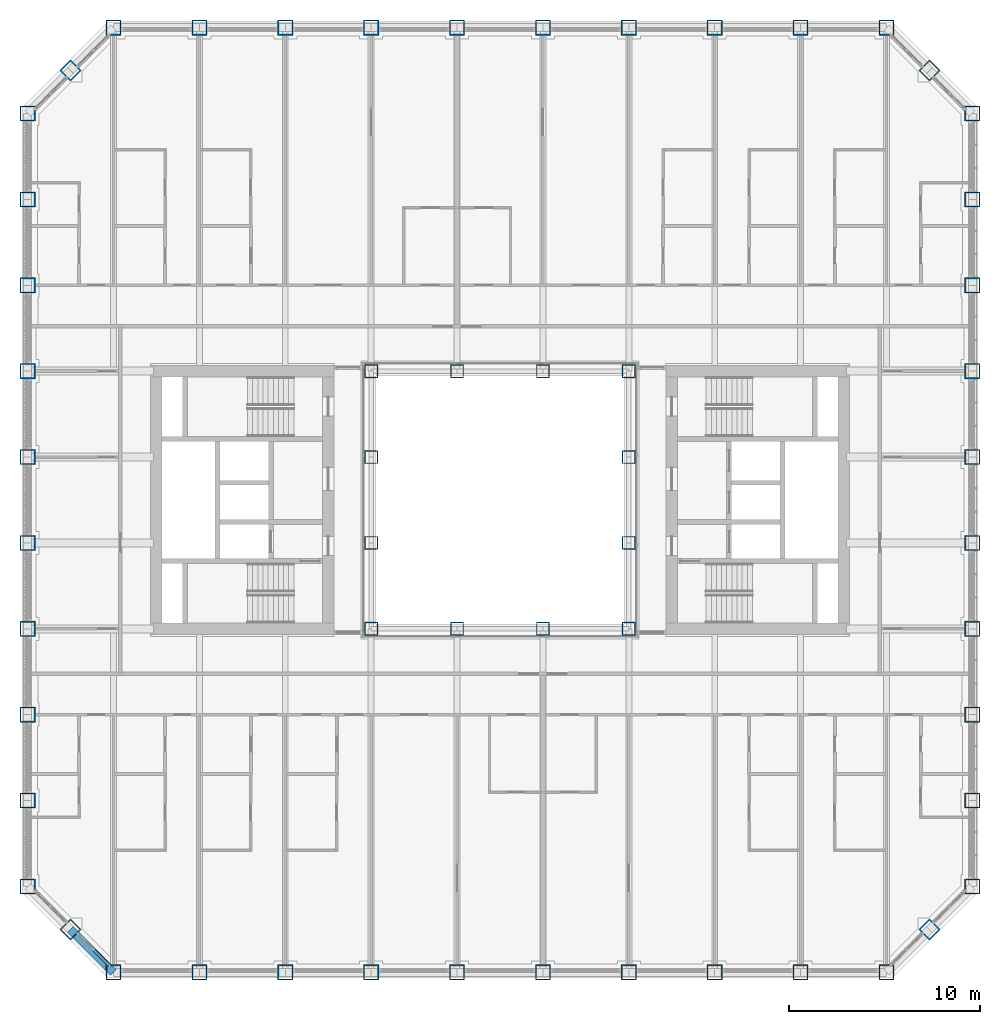
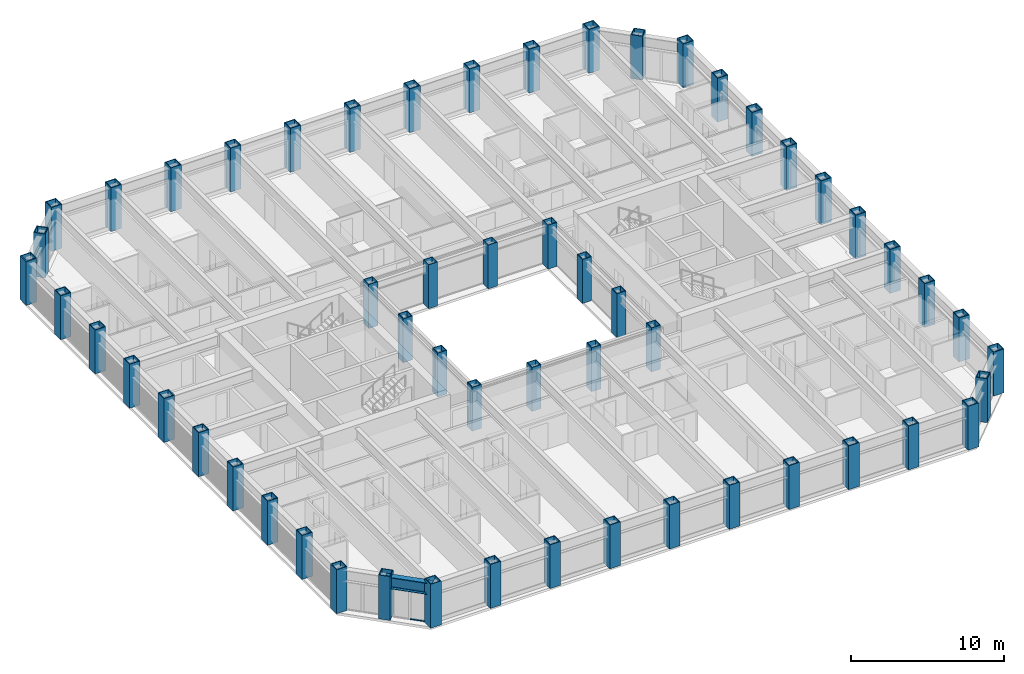
# One storey, part 1 of 21: 56 columns, 2 members, 1 beam, 1 element without a shape of its own.
"""IFC4 building model written with IfcOpenShell, lengths in metres."""

from ifc_helpers import new_model, si_unit, direction, frame, origin, origin_2d, place, context, subcontext, project, spatial, rectangle, hollow_rectangle, i_section, extrude, material, material_profile, profile_set, type_object, element, aggregate, save


model = new_model("IFC4")

# Units and contexts
model_context = context("Model", 3, precision=1e-05, world=origin(), true_north=direction((0.0, 1.0)))
body_context = subcontext(model_context, "Body", "Model", "MODEL_VIEW")
ifc_project = project(units=[si_unit("LENGTHUNIT", "METRE"), si_unit("AREAUNIT", "SQUARE_METRE"), si_unit("VOLUMEUNIT", "CUBIC_METRE"), si_unit("PLANEANGLEUNIT", "RADIAN"), si_unit("MASSUNIT", "GRAM", prefix="KILO")], contexts=[model_context])

# Site, building, storey
site_placement = place(None, origin())
site = spatial("IfcSite", under=ifc_project, at=site_placement, CompositionType="ELEMENT")
building_placement = place(site_placement, origin())
building = spatial("IfcBuilding", under=site, at=building_placement, Name="Msasa Ring Tower", CompositionType="ELEMENT")
storey_placement = place(building_placement, frame((0.0, 0.0, 79.0)))
storey = spatial("IfcBuildingStorey", under=building, at=storey_placement, Name="L20", CompositionType="ELEMENT", Elevation=79.0)

# Columns
ifc_material_1 = material(Name="Steel S355", Category="steel")
ifc_material_profile_1 = material_profile(ifc_material_1, hollow_rectangle(XDim=0.699951171875, YDim=0.699951171875, WallThickness=0.050048828125, at=origin_2d()), Name="BOX 700x700x50")
ifc_profile_set_1 = profile_set([ifc_material_profile_1], Name="Steel S355")
column_type_1 = type_object("IfcColumnType", Name="IC3 BOX 700x700x50", PredefinedType="COLUMN", material=ifc_profile_set_1)
for number, where, z_axis, x_axis, name in (
    (1, (-6.75, -6.75, 0.0), (0.0, 0.0, 1.0), (1.0, 0.0, 0.0), "Inner ring column IR-6.75-6.75 L20"),
    (2, (-6.75, -2.25, 0.0), (0.0, 0.0, 1.0), (1.0, 0.0, 0.0), "Inner ring column IR-6.75-2.25 L20"),
    (3, (-6.75, 2.25, 0.0), (0.0, 0.0, 1.0), (1.0, 0.0, 0.0), "Inner ring column IR-6.75+2.25 L20"),
    (4, (-6.75, 6.75, 0.0), (0.0, 0.0, 1.0), (1.0, 0.0, 0.0), "Inner ring column IR-6.75+6.75 L20"),
    (5, (-2.25, -6.75, 0.0), (0.0, 0.0, 1.0), (1.0, 0.0, 0.0), "Inner ring column IR-2.25-6.75 L20"),
    (6, (-2.25, 6.75, 0.0), (0.0, 0.0, 1.0), (1.0, 0.0, 0.0), "Inner ring column IR-2.25+6.75 L20"),
    (7, (2.25, -6.75, 0.0), (0.0, 0.0, 1.0), (1.0, 0.0, 0.0), "Inner ring column IR+2.25-6.75 L20"),
    (8, (2.25, 6.75, 0.0), (0.0, 0.0, 1.0), (1.0, 0.0, 0.0), "Inner ring column IR+2.25+6.75 L20"),
    (9, (6.75, -6.75, 0.0), (0.0, 0.0, 1.0), (1.0, 0.0, 0.0), "Inner ring column IR+6.75-6.75 L20"),
    (10, (6.75, -2.25, 0.0), (0.0, 0.0, 1.0), (1.0, 0.0, 0.0), "Inner ring column IR+6.75-2.25 L20"),
    (11, (6.75, 2.25, 0.0), (0.0, 0.0, 1.0), (1.0, 0.0, 0.0), "Inner ring column IR+6.75+2.25 L20"),
    (12, (6.75, 6.75, 0.0), (0.0, 0.0, 1.0), (1.0, 0.0, 0.0), "Inner ring column IR+6.75+6.75 L20"),
):
    element("IfcColumn", number, at=place(storey_placement, frame(where, z_axis=z_axis, x_axis=x_axis)), inside=storey, type_object=column_type_1, Name=name, PredefinedType="COLUMN", context=body_context, shape_type="SweptSolid", body=[
        extrude(hollow_rectangle(XDim=0.699951171875, YDim=0.699951171875, WallThickness=0.050048828125, at=origin_2d()), origin(), (0.0, 0.0, 1.0), 3.5),
    ])
ifc_material_2 = material(Name="Steel S355", Category="steel")
ifc_material_profile_2 = material_profile(ifc_material_2, hollow_rectangle(XDim=0.800048828125, YDim=0.800048828125, WallThickness=0.06005859375, at=origin_2d()), Name="BOX 800x800x60")
ifc_profile_set_2 = profile_set([ifc_material_profile_2], Name="Steel S355")
column_type_2 = type_object("IfcColumnType", Name="TC3 BOX 800x800x60", PredefinedType="COLUMN", material=ifc_profile_set_2)
for number, where, z_axis, x_axis, name in (
    (13, (-20.25, -24.75, 0.0), (0.0, 0.0, 1.0), (0.0, 1.0, 0.0), "Tube column S-20.25 L20"),
    (14, (-20.25, 24.75, 0.0), (0.0, 0.0, 1.0), (0.0, 1.0, 0.0), "Tube column N-20.25 L20"),
    (15, (24.75, -20.25, 0.0), (0.0, 0.0, 1.0), (1.0, 0.0, 0.0), "Tube column E-20.25 L20"),
    (16, (-24.75, -20.25, 0.0), (0.0, 0.0, 1.0), (1.0, 0.0, 0.0), "Tube column W-20.25 L20"),
    (17, (-15.75, -24.75, 0.0), (0.0, 0.0, 1.0), (0.0, 1.0, 0.0), "Tube column S-15.75 L20"),
    (18, (-15.75, 24.75, 0.0), (0.0, 0.0, 1.0), (0.0, 1.0, 0.0), "Tube column N-15.75 L20"),
    (19, (24.75, -15.75, 0.0), (0.0, 0.0, 1.0), (1.0, 0.0, 0.0), "Tube column E-15.75 L20"),
    (20, (-24.75, -15.75, 0.0), (0.0, 0.0, 1.0), (1.0, 0.0, 0.0), "Tube column W-15.75 L20"),
    (21, (-11.25, -24.75, 0.0), (0.0, 0.0, 1.0), (0.0, 1.0, 0.0), "Tube column S-11.25 L20"),
    (22, (-11.25, 24.75, 0.0), (0.0, 0.0, 1.0), (0.0, 1.0, 0.0), "Tube column N-11.25 L20"),
    (23, (24.75, -11.25, 0.0), (0.0, 0.0, 1.0), (1.0, 0.0, 0.0), "Tube column E-11.25 L20"),
    (24, (-24.75, -11.25, 0.0), (0.0, 0.0, 1.0), (1.0, 0.0, 0.0), "Tube column W-11.25 L20"),
    (25, (-6.75, -24.75, 0.0), (0.0, 0.0, 1.0), (0.0, 1.0, 0.0), "Tube column S-6.75 L20"),
    (26, (-6.75, 24.75, 0.0), (0.0, 0.0, 1.0), (0.0, 1.0, 0.0), "Tube column N-6.75 L20"),
    (27, (24.75, -6.75, 0.0), (0.0, 0.0, 1.0), (1.0, 0.0, 0.0), "Tube column E-6.75 L20"),
    (28, (-24.75, -6.75, 0.0), (0.0, 0.0, 1.0), (1.0, 0.0, 0.0), "Tube column W-6.75 L20"),
    (29, (-2.25, -24.75, 0.0), (0.0, 0.0, 1.0), (0.0, 1.0, 0.0), "Tube column S-2.25 L20"),
    (30, (-2.25, 24.75, 0.0), (0.0, 0.0, 1.0), (0.0, 1.0, 0.0), "Tube column N-2.25 L20"),
    (31, (24.75, -2.25, 0.0), (0.0, 0.0, 1.0), (1.0, 0.0, 0.0), "Tube column E-2.25 L20"),
    (32, (-24.75, -2.25, 0.0), (0.0, 0.0, 1.0), (1.0, 0.0, 0.0), "Tube column W-2.25 L20"),
    (33, (2.25, -24.75, 0.0), (0.0, 0.0, 1.0), (0.0, 1.0, 0.0), "Tube column S+2.25 L20"),
    (34, (2.25, 24.75, 0.0), (0.0, 0.0, 1.0), (0.0, 1.0, 0.0), "Tube column N+2.25 L20"),
    (35, (24.75, 2.25, 0.0), (0.0, 0.0, 1.0), (1.0, 0.0, 0.0), "Tube column E+2.25 L20"),
    (36, (-24.75, 2.25, 0.0), (0.0, 0.0, 1.0), (1.0, 0.0, 0.0), "Tube column W+2.25 L20"),
    (37, (6.75, -24.75, 0.0), (0.0, 0.0, 1.0), (0.0, 1.0, 0.0), "Tube column S+6.75 L20"),
    (38, (6.75, 24.75, 0.0), (0.0, 0.0, 1.0), (0.0, 1.0, 0.0), "Tube column N+6.75 L20"),
    (39, (24.75, 6.75, 0.0), (0.0, 0.0, 1.0), (1.0, 0.0, 0.0), "Tube column E+6.75 L20"),
    (40, (-24.75, 6.75, 0.0), (0.0, 0.0, 1.0), (1.0, 0.0, 0.0), "Tube column W+6.75 L20"),
    (41, (11.25, -24.75, 0.0), (0.0, 0.0, 1.0), (0.0, 1.0, 0.0), "Tube column S+11.25 L20"),
    (42, (11.25, 24.75, 0.0), (0.0, 0.0, 1.0), (0.0, 1.0, 0.0), "Tube column N+11.25 L20"),
    (43, (24.75, 11.25, 0.0), (0.0, 0.0, 1.0), (1.0, 0.0, 0.0), "Tube column E+11.25 L20"),
    (44, (-24.75, 11.25, 0.0), (0.0, 0.0, 1.0), (1.0, 0.0, 0.0), "Tube column W+11.25 L20"),
    (45, (15.75, -24.75, 0.0), (0.0, 0.0, 1.0), (0.0, 1.0, 0.0), "Tube column S+15.75 L20"),
    (46, (15.75, 24.75, 0.0), (0.0, 0.0, 1.0), (0.0, 1.0, 0.0), "Tube column N+15.75 L20"),
    (47, (24.75, 15.75, 0.0), (0.0, 0.0, 1.0), (1.0, 0.0, 0.0), "Tube column E+15.75 L20"),
    (48, (-24.75, 15.75, 0.0), (0.0, 0.0, 1.0), (1.0, 0.0, 0.0), "Tube column W+15.75 L20"),
    (49, (20.25, -24.75, 0.0), (0.0, 0.0, 1.0), (0.0, 1.0, 0.0), "Tube column S+20.25 L20"),
    (50, (20.25, 24.75, 0.0), (0.0, 0.0, 1.0), (0.0, 1.0, 0.0), "Tube column N+20.25 L20"),
    (51, (24.75, 20.25, 0.0), (0.0, 0.0, 1.0), (1.0, 0.0, 0.0), "Tube column E+20.25 L20"),
    (52, (-24.75, 20.25, 0.0), (0.0, 0.0, 1.0), (1.0, 0.0, 0.0), "Tube column W+20.25 L20"),
    (53, (22.5, -22.5, 0.0), (0.0, 0.0, 1.0), (0.707106781187, -0.707106781187, 0.0), "Tube column SE L20"),
    (54, (22.5, 22.5, 0.0), (0.0, 0.0, 1.0), (0.707106781187, 0.707106781187, 0.0), "Tube column NE L20"),
    (55, (-22.5, 22.5, 0.0), (0.0, 0.0, 1.0), (0.707106781187, -0.707106781187, 0.0), "Tube column NW L20"),
    (56, (-22.5, -22.5, 0.0), (0.0, 0.0, 1.0), (0.707106781187, 0.707106781187, 0.0), "Tube column SW L20"),
):
    element("IfcColumn", number, at=place(storey_placement, frame(where, z_axis=z_axis, x_axis=x_axis)), inside=storey, type_object=column_type_2, Name=name, PredefinedType="COLUMN", context=body_context, shape_type="SweptSolid", body=[
        extrude(hollow_rectangle(XDim=0.800048828125, YDim=0.800048828125, WallThickness=0.06005859375, at=origin_2d()), origin(), (0.0, 0.0, 1.0), 3.5),
    ])

# Curtain wall, members
ifc_material_3 = material(Name="Aluminium curtain wall with clear glass", Category="aluminium")
curtain_wall_type = type_object("IfcCurtainWallType", Name="CW-C CHAMFER CORNER CURTAIN WALL", PredefinedType="NOTDEFINED", material=ifc_material_3)
curtain_wall_placement = place(storey_placement, origin())
curtain_wall = element("IfcCurtainWall", 57, at=curtain_wall_placement, inside=storey, type_object=curtain_wall_type, Name="Chamfer corner curtain wall SW L20", PredefinedType="NOTDEFINED")
ifc_material_4 = material(Name="Aluminium transom", Category="aluminium")
ifc_material_profile_3 = material_profile(ifc_material_4, rectangle(XDim=0.139892578125, YDim=0.06494140625, at=origin_2d()), Name="AL 65x140")
ifc_profile_set_3 = profile_set([ifc_material_profile_3], Name="Aluminium transom")
member_type = type_object("IfcMemberType", Name="CW-C TRANSOM 65x140", PredefinedType="USERDEFINED", material=ifc_profile_set_3)
member_1_placement = place(storey_placement, frame((-21.28125, -23.577392578125, 0.032470703125), z_axis=(0.707106781187, -0.707106781187, 0.0), x_axis=(0.707106781187, 0.707106781187, 0.0)))
member_1 = element("IfcMember", 58, at=member_1_placement, type_object=member_type, Name="CW-C transom 2.1", ObjectType="TRANSOM", PredefinedType="USERDEFINED", context=body_context, shape_type="SweptSolid", body=[
    extrude(rectangle(XDim=0.139892578125, YDim=0.06494140625, at=origin_2d()), origin(), (0.0, 0.0, 1.0), 1.08837890625),
])
member_2_placement = place(storey_placement, frame((-21.28125, -23.577392578125, 2.346435546875), z_axis=(0.707106781187, -0.707106781187, 0.0), x_axis=(0.707106781187, 0.707106781187, 0.0)))
member_2 = element("IfcMember", 59, at=member_2_placement, type_object=member_type, Name="CW-C transom 2.2", ObjectType="TRANSOM", PredefinedType="USERDEFINED", context=body_context, shape_type="SweptSolid", body=[
    extrude(rectangle(XDim=0.139892578125, YDim=0.06494140625, at=origin_2d()), origin(), (0.0, 0.0, 1.0), 1.08837890625),
])
aggregate(curtain_wall, [member_1, member_2])

# Beam
ifc_material_5 = material(Name="Steel S355", Category="steel")
ifc_material_profile_4 = material_profile(ifc_material_5, i_section(OverallWidth=0.42041015625, OverallDepth=0.9208984375, WebThickness=0.021484375, FlangeThickness=0.03662109375, FilletRadius=0.024169921875, at=origin_2d()), Name="UB 914x419x388")
ifc_profile_set_4 = profile_set([ifc_material_profile_4], Name="Steel S355")
beam_type = type_object("IfcBeamType", Name="SB1 UB 914x419x388", PredefinedType="SPANDREL", material=ifc_profile_set_4)
beam_placement = place(storey_placement, frame((-22.5, -22.5, 2.839599609375), z_axis=(0.707106781187, -0.707106781187, 0.0), x_axis=(0.707106781187, 0.707106781187, 0.0)))
element("IfcBeam", 60, at=beam_placement, inside=storey, type_object=beam_type, Name="Spandrel SW to S-20.25 under L21", PredefinedType="SPANDREL", context=body_context, shape_type="SweptSolid", body=[
    extrude(i_section(OverallWidth=0.42041015625, OverallDepth=0.9208984375, WebThickness=0.021484375, FlangeThickness=0.03662109375, FilletRadius=0.024169921875, at=origin_2d()), origin(), (0.0, 0.0, 1.0), 3.181884765625),
])

save(model, "model.ifc")
